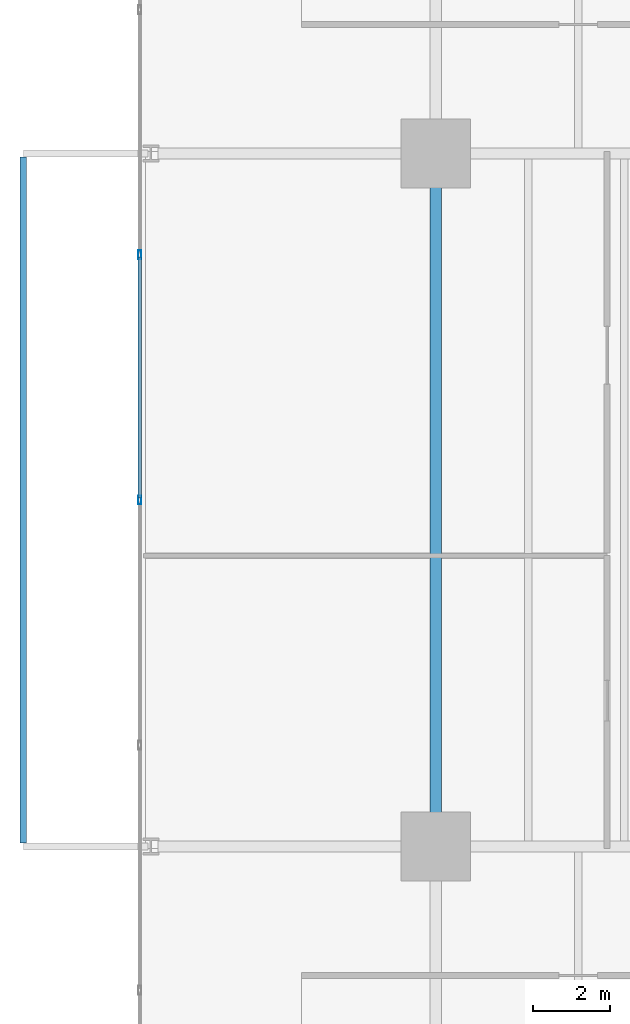
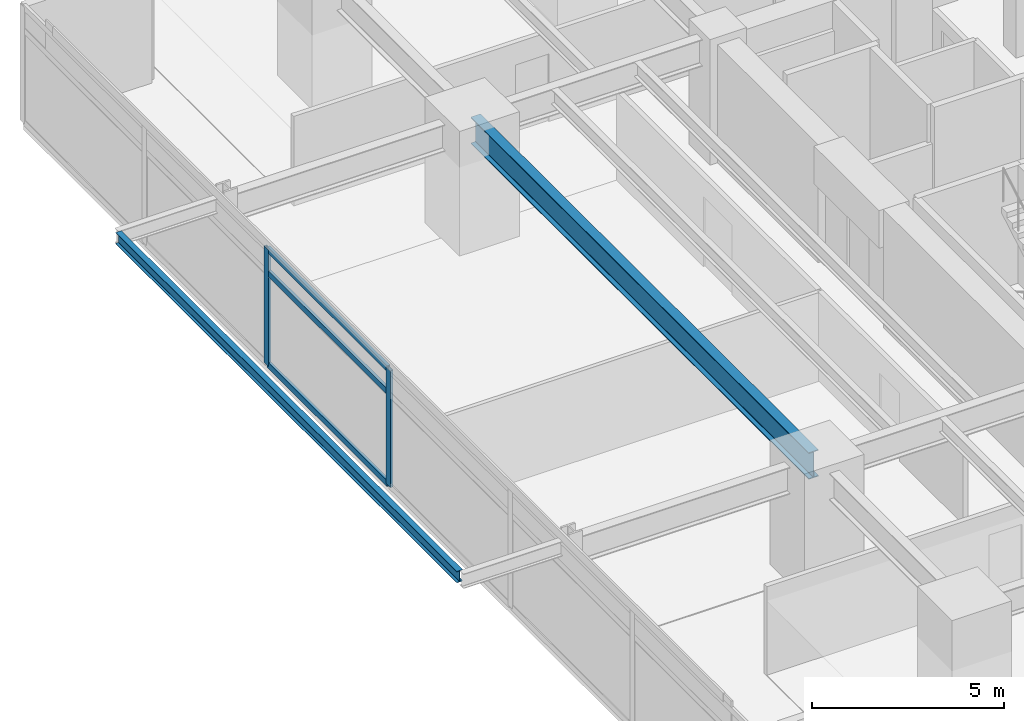
# One storey, part 5 of 22: 5 members, 2 beams, 1 element without a shape of its own.
"""IFC4 building model written with IfcOpenShell, lengths in metres."""

from ifc_helpers import new_model, si_unit, direction, frame, origin, origin_2d, place, context, subcontext, project, spatial, hollow_rectangle, i_section, extrude, material, material_profile, profile_set, type_object, element, aggregate, save


model = new_model("IFC4")

# Units and contexts
model_context = context("Model", 3, precision=1e-05, world=origin(), true_north=direction((0.0, 1.0)))
body_context = subcontext(model_context, "Body", "Model", "MODEL_VIEW")
ifc_project = project(units=[si_unit("LENGTHUNIT", "METRE"), si_unit("AREAUNIT", "SQUARE_METRE"), si_unit("VOLUMEUNIT", "CUBIC_METRE"), si_unit("PLANEANGLEUNIT", "RADIAN"), si_unit("MASSUNIT", "GRAM", prefix="KILO")], contexts=[model_context])

# Site, building, storey
site_placement = place(None, origin())
site = spatial("IfcSite", under=ifc_project, at=site_placement, CompositionType="ELEMENT")
building_placement = place(site_placement, origin())
building = spatial("IfcBuilding", under=site, at=building_placement, Name="Kovane Verandah Tower", CompositionType="ELEMENT")
storey_placement = place(building_placement, frame((0.0, 0.0, 71.60009765625)))
storey = spatial("IfcBuildingStorey", under=building, at=storey_placement, Name="L16", CompositionType="ELEMENT", Elevation=71.60009765625)

# Beam
ifc_material_1 = material(Name="Steel S355", Category="steel")
ifc_material_profile_1 = material_profile(ifc_material_1, i_section(OverallWidth=0.293701171875, OverallDepth=0.850830078125, WebThickness=0.01611328125, FlangeThickness=0.02685546875, FilletRadius=0.017822265625, at=origin_2d()), Name="UB838x292x226")
ifc_profile_set_1 = profile_set([ifc_material_profile_1], Name="Steel S355")
beam_type_1 = type_object("IfcBeamType", Name="BM-UB838x226", PredefinedType="BEAM", material=ifc_profile_set_1)
beam_1_placement = place(storey_placement, frame((21.60009765625, 18.679931640625, 3.33447265625), z_axis=(0.0, 1.0, 0.0), x_axis=(-1.0, 0.0, 0.0)))
element("IfcBeam", 1, at=beam_1_placement, inside=storey, type_object=beam_type_1, Name="L16 Primary Tower Girder G-RW2", PredefinedType="BEAM", context=body_context, shape_type="SweptSolid", body=[
    extrude(i_section(OverallWidth=0.293701171875, OverallDepth=0.850830078125, WebThickness=0.01611328125, FlangeThickness=0.02685546875, FilletRadius=0.017822265625, at=origin_2d()), origin(), (0.0, 0.0, 1.0), 17.64013671875),
])

# Curtain wall, members
ifc_material_2 = material(Name="Champagne Anodised Aluminium Frame with Low-E Clear Laminated Glass", Category="aluminium")
curtain_wall_type = type_object("IfcCurtainWallType", Name="CW-SYS-02-LOW", PredefinedType="NOTDEFINED", material=ifc_material_2)
curtain_wall_placement = place(storey_placement, origin())
curtain_wall = element("IfcCurtainWall", 2, at=curtain_wall_placement, inside=storey, type_object=curtain_wall_type, Name="L16 W Unitised Curtain Wall", PredefinedType="NOTDEFINED")
ifc_material_3 = material(Name="Champagne Anodised Aluminium 6063-T6", Category="aluminium")
ifc_material_profile_2 = material_profile(ifc_material_3, hollow_rectangle(XDim=0.0849609375, YDim=0.22998046875, WallThickness=0.00390625, at=origin_2d()), Name="AL85x230x4")
ifc_profile_set_2 = profile_set([ifc_material_profile_2], Name="Champagne Anodised Aluminium 6063-T6")
member_type_1 = type_object("IfcMemberType", Name="CW-MUL-85x230", PredefinedType="MULLION", material=ifc_profile_set_2)
member_1_placement = place(storey_placement, frame((13.91357421875, 33.86669921875, 0.02001953125), z_axis=(0.0, 0.0, 1.0), x_axis=(-1.0, 0.0, 0.0)))
member_1 = element("IfcMember", 3, at=member_1_placement, type_object=member_type_1, Name="L16 W Unitised Curtain Wall Mullion 3", PredefinedType="MULLION", context=body_context, shape_type="SweptSolid", body=[
    extrude(hollow_rectangle(XDim=0.0849609375, YDim=0.22998046875, WallThickness=0.00390625, at=origin_2d()), origin(), (0.0, 0.0, 1.0), 3.719970703125),
])
member_2_placement = place(storey_placement, frame((13.91357421875, 27.5, 0.02001953125), z_axis=(0.0, 0.0, 1.0), x_axis=(-1.0, 0.0, 0.0)))
member_2 = element("IfcMember", 4, at=member_2_placement, type_object=member_type_1, Name="L16 W Unitised Curtain Wall Mullion 4", PredefinedType="MULLION", context=body_context, shape_type="SweptSolid", body=[
    extrude(hollow_rectangle(XDim=0.0849609375, YDim=0.22998046875, WallThickness=0.00390625, at=origin_2d()), origin(), (0.0, 0.0, 1.0), 3.719970703125),
])
ifc_material_profile_3 = material_profile(ifc_material_3, hollow_rectangle(XDim=0.0849609375, YDim=0.18994140625, WallThickness=0.00390625, at=origin_2d()), Name="AL85x190x4")
ifc_profile_set_3 = profile_set([ifc_material_profile_3], Name="Champagne Anodised Aluminium 6063-T6")
member_type_2 = type_object("IfcMemberType", Name="CW-TRN-85x190", PredefinedType="USERDEFINED", material=ifc_profile_set_3)
member_3_placement = place(storey_placement, frame((13.91357421875, 33.81689453125, 0.0498046875), z_axis=(0.0, -1.0, 0.0), x_axis=(1.0, 0.0, 0.0)))
member_3 = element("IfcMember", 5, at=member_3_placement, type_object=member_type_2, Name="L16 W Unitised Curtain Wall Transom TB Bay 3", ObjectType="TRANSOM", PredefinedType="USERDEFINED", context=body_context, shape_type="SweptSolid", body=[
    extrude(hollow_rectangle(XDim=0.0849609375, YDim=0.18994140625, WallThickness=0.00390625, at=origin_2d()), origin(), (0.0, 0.0, 1.0), 6.266845703125),
])
member_4_placement = place(storey_placement, frame((13.91357421875, 33.81689453125, 2.97998046875), z_axis=(0.0, -1.0, 0.0), x_axis=(1.0, 0.0, 0.0)))
member_4 = element("IfcMember", 6, at=member_4_placement, type_object=member_type_2, Name="L16 W Unitised Curtain Wall Transom TM Bay 3", ObjectType="TRANSOM", PredefinedType="USERDEFINED", context=body_context, shape_type="SweptSolid", body=[
    extrude(hollow_rectangle(XDim=0.0849609375, YDim=0.18994140625, WallThickness=0.00390625, at=origin_2d()), origin(), (0.0, 0.0, 1.0), 6.266845703125),
])
member_5_placement = place(storey_placement, frame((13.91357421875, 33.81689453125, 3.7099609375), z_axis=(0.0, -1.0, 0.0), x_axis=(1.0, 0.0, 0.0)))
member_5 = element("IfcMember", 7, at=member_5_placement, type_object=member_type_2, Name="L16 W Unitised Curtain Wall Transom TT Bay 3", ObjectType="TRANSOM", PredefinedType="USERDEFINED", context=body_context, shape_type="SweptSolid", body=[
    extrude(hollow_rectangle(XDim=0.0849609375, YDim=0.18994140625, WallThickness=0.00390625, at=origin_2d()), origin(), (0.0, 0.0, 1.0), 6.266845703125),
])
aggregate(curtain_wall, [member_1, member_2, member_3, member_4, member_5])

# Beam
ifc_material_profile_4 = material_profile(ifc_material_1, i_section(OverallWidth=0.173095703125, OverallDepth=0.36328125, WebThickness=0.009033203125, FlangeThickness=0.015625, FilletRadius=0.01025390625, at=origin_2d()), Name="UB356x171x67")
ifc_profile_set_4 = profile_set([ifc_material_profile_4], Name="Steel S355")
beam_type_2 = type_object("IfcBeamType", Name="SPD-UB356x67", PredefinedType="USERDEFINED", material=ifc_profile_set_4)
beam_2_placement = place(storey_placement, frame((10.8876953125, 18.594482421875, 3.578125), z_axis=(0.0, 1.0, 0.0), x_axis=(-1.0, 0.0, 0.0)))
element("IfcBeam", 8, at=beam_2_placement, inside=storey, type_object=beam_type_2, Name="L16 West Planter Edge Spandrel", ObjectType="SPANDREL", PredefinedType="USERDEFINED", context=body_context, shape_type="SweptSolid", body=[
    extrude(i_section(OverallWidth=0.173095703125, OverallDepth=0.36328125, WebThickness=0.009033203125, FlangeThickness=0.015625, FilletRadius=0.01025390625, at=origin_2d()), origin(), (0.0, 0.0, 1.0), 17.81103515625),
])

save(model, "model.ifc")
